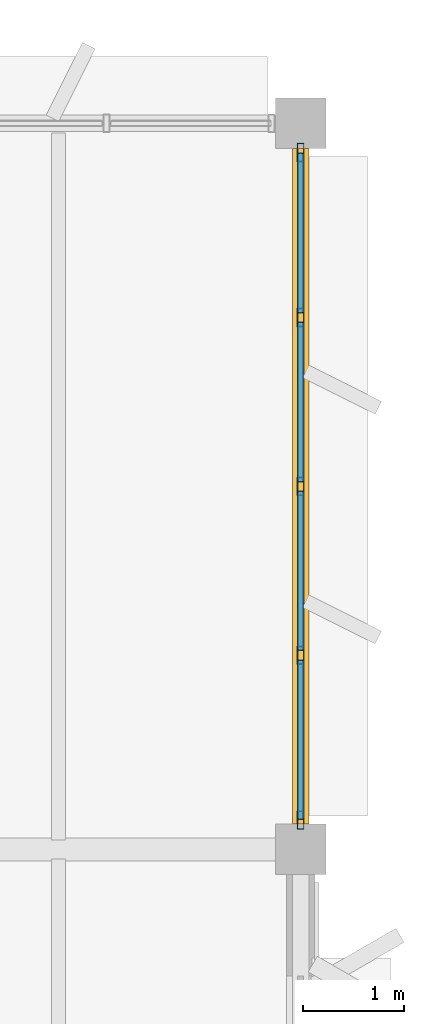
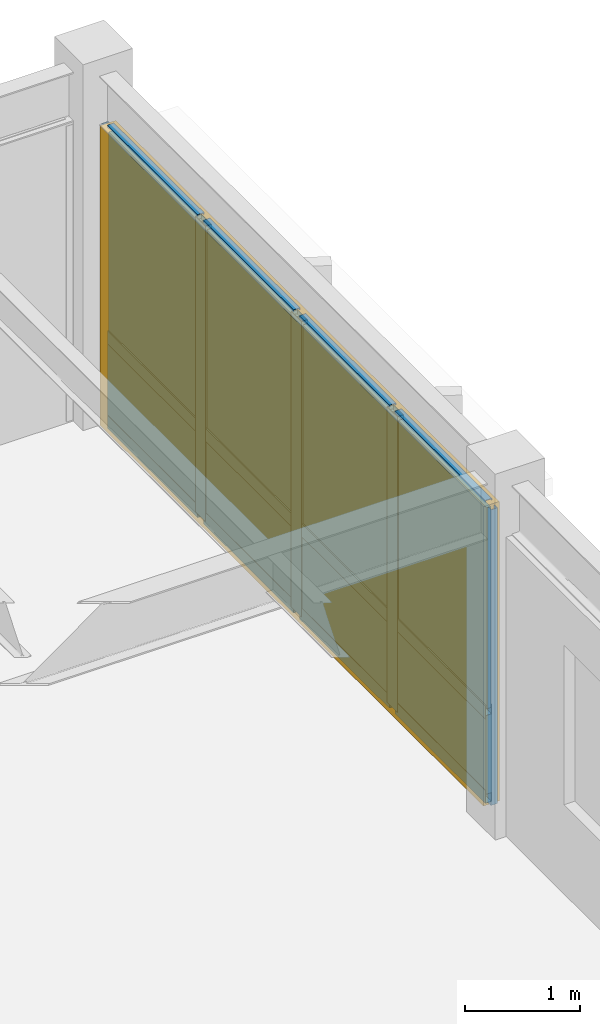
# One storey, part 14 of 23: 17 members, 8 plates, 1 curtain wall.
"""IFC4 building model written with IfcOpenShell, lengths in metres."""

from ifc_helpers import new_model, si_unit, direction, frame, origin, origin_2d, place, context, subcontext, project, spatial, rectangle, hollow_rectangle, extrude, material, layer, layer_set, material_profile, profile_set, type_object, element, aggregate, save


model = new_model("IFC4")

# Units and contexts
model_context = context("Model", 3, precision=1e-05, world=origin(), true_north=direction((0.0, 1.0)))
body_context = subcontext(model_context, "Body", "Model", "MODEL_VIEW")
ifc_project = project(units=[si_unit("LENGTHUNIT", "METRE"), si_unit("AREAUNIT", "SQUARE_METRE"), si_unit("VOLUMEUNIT", "CUBIC_METRE"), si_unit("PLANEANGLEUNIT", "RADIAN"), si_unit("MASSUNIT", "GRAM", prefix="KILO")], contexts=[model_context])

# Member
ifc_material_1 = material(Name="Anodized Aluminium 6063-T6", Category="aluminium")
ifc_material_profile_1 = material_profile(ifc_material_1, hollow_rectangle(XDim=0.06494140625, YDim=0.179931640625, WallThickness=0.00390625, at=origin_2d()), Name="ALU 65x180x4")
ifc_profile_set_1 = profile_set([ifc_material_profile_1], Name="Anodized Aluminium 6063-T6")
member_type_1 = type_object("IfcMemberType", Name="CWM-65X150", PredefinedType="MULLION", material=ifc_profile_set_1)
site_placement = place(None, origin())
building_placement = place(site_placement, origin())
storey_placement = place(building_placement, frame((0.0, 0.0, 21.89990234375)))
member_1_placement = place(storey_placement, frame((100.800048828125, 114.909912109375, 0.02001953125), z_axis=(0.0, 0.0, 1.0), x_axis=(1.0, 0.0, 0.0)))
member_1 = element("IfcMember", 1, at=member_1_placement, type_object=member_type_1, Name="Curtain wall mullion CW-L06-13-15-E-00", PredefinedType="MULLION", context=body_context, shape_type="SweptSolid", body=[
    extrude(hollow_rectangle(XDim=0.06494140625, YDim=0.179931640625, WallThickness=0.00390625, at=origin_2d()), origin(), (0.0, 0.0, 1.0), 3.152099609375),
])

member_2_placement = place(storey_placement, frame((100.800048828125, 113.27490234375, 0.02001953125), z_axis=(0.0, 0.0, 1.0), x_axis=(1.0, 0.0, 0.0)))
member_2 = element("IfcMember", 2, at=member_2_placement, type_object=member_type_1, Name="Curtain wall mullion CW-L06-13-15-E-01", PredefinedType="MULLION", context=body_context, shape_type="SweptSolid", body=[
    extrude(hollow_rectangle(XDim=0.06494140625, YDim=0.179931640625, WallThickness=0.00390625, at=origin_2d()), origin(), (0.0, 0.0, 1.0), 3.152099609375),
])

member_3_placement = place(storey_placement, frame((100.800048828125, 111.60009765625, 0.02001953125), z_axis=(0.0, 0.0, 1.0), x_axis=(1.0, 0.0, 0.0)))
member_3 = element("IfcMember", 3, at=member_3_placement, type_object=member_type_1, Name="Curtain wall mullion CW-L06-13-15-E-02", PredefinedType="MULLION", context=body_context, shape_type="SweptSolid", body=[
    extrude(hollow_rectangle(XDim=0.06494140625, YDim=0.179931640625, WallThickness=0.00390625, at=origin_2d()), origin(), (0.0, 0.0, 1.0), 3.152099609375),
])

member_4_placement = place(storey_placement, frame((100.800048828125, 109.925048828125, 0.02001953125), z_axis=(0.0, 0.0, 1.0), x_axis=(1.0, 0.0, 0.0)))
member_4 = element("IfcMember", 4, at=member_4_placement, type_object=member_type_1, Name="Curtain wall mullion CW-L06-13-15-E-03", PredefinedType="MULLION", context=body_context, shape_type="SweptSolid", body=[
    extrude(hollow_rectangle(XDim=0.06494140625, YDim=0.179931640625, WallThickness=0.00390625, at=origin_2d()), origin(), (0.0, 0.0, 1.0), 3.152099609375),
])

member_5_placement = place(storey_placement, frame((100.800048828125, 108.2900390625, 0.02001953125), z_axis=(0.0, 0.0, 1.0), x_axis=(1.0, 0.0, 0.0)))
member_5 = element("IfcMember", 5, at=member_5_placement, type_object=member_type_1, Name="Curtain wall mullion CW-L06-13-15-E-04", PredefinedType="MULLION", context=body_context, shape_type="SweptSolid", body=[
    extrude(hollow_rectangle(XDim=0.06494140625, YDim=0.179931640625, WallThickness=0.00390625, at=origin_2d()), origin(), (0.0, 0.0, 1.0), 3.152099609375),
])

ifc_material_profile_2 = material_profile(ifc_material_1, hollow_rectangle(XDim=0.06494140625, YDim=0.139892578125, WallThickness=0.00390625, at=origin_2d()), Name="ALU 65x140x4")
ifc_profile_set_2 = profile_set([ifc_material_profile_2], Name="Anodized Aluminium 6063-T6")
member_type_2 = type_object("IfcMemberType", Name="CWT-65X120", PredefinedType="USERDEFINED", material=ifc_profile_set_2)
member_6_placement = place(storey_placement, frame((100.800048828125, 114.89990234375, 0.050048828125), z_axis=(0.0, -1.0, 0.0), x_axis=(1.0, 0.0, 0.0)))
member_6 = element("IfcMember", 6, at=member_6_placement, type_object=member_type_2, Name="Curtain wall transom CW-L06-13-15-E-1.01", ObjectType="TRANSOM", PredefinedType="USERDEFINED", context=body_context, shape_type="SweptSolid", body=[
    extrude(hollow_rectangle(XDim=0.06494140625, YDim=0.139892578125, WallThickness=0.00390625, at=origin_2d()), origin(), (0.0, 0.0, 1.0), 1.574951171875),
])

member_7_placement = place(storey_placement, frame((100.800048828125, 113.22509765625, 0.050048828125), z_axis=(0.0, -1.0, 0.0), x_axis=(1.0, 0.0, 0.0)))
member_7 = element("IfcMember", 7, at=member_7_placement, type_object=member_type_2, Name="Curtain wall transom CW-L06-13-15-E-1.02", ObjectType="TRANSOM", PredefinedType="USERDEFINED", context=body_context, shape_type="SweptSolid", body=[
    extrude(hollow_rectangle(XDim=0.06494140625, YDim=0.139892578125, WallThickness=0.00390625, at=origin_2d()), origin(), (0.0, 0.0, 1.0), 1.5751953125),
])

member_8_placement = place(storey_placement, frame((100.800048828125, 111.550048828125, 0.050048828125), z_axis=(0.0, -1.0, 0.0), x_axis=(1.0, 0.0, 0.0)))
member_8 = element("IfcMember", 8, at=member_8_placement, type_object=member_type_2, Name="Curtain wall transom CW-L06-13-15-E-1.03", ObjectType="TRANSOM", PredefinedType="USERDEFINED", context=body_context, shape_type="SweptSolid", body=[
    extrude(hollow_rectangle(XDim=0.06494140625, YDim=0.139892578125, WallThickness=0.00390625, at=origin_2d()), origin(), (0.0, 0.0, 1.0), 1.574951171875),
])

member_9_placement = place(storey_placement, frame((100.800048828125, 109.875, 0.050048828125), z_axis=(0.0, -1.0, 0.0), x_axis=(1.0, 0.0, 0.0)))
member_9 = element("IfcMember", 9, at=member_9_placement, type_object=member_type_2, Name="Curtain wall transom CW-L06-13-15-E-1.04", ObjectType="TRANSOM", PredefinedType="USERDEFINED", context=body_context, shape_type="SweptSolid", body=[
    extrude(hollow_rectangle(XDim=0.06494140625, YDim=0.139892578125, WallThickness=0.00390625, at=origin_2d()), origin(), (0.0, 0.0, 1.0), 1.574951171875),
])

member_10_placement = place(storey_placement, frame((100.800048828125, 114.89990234375, 0.9501953125), z_axis=(0.0, -1.0, 0.0), x_axis=(1.0, 0.0, 0.0)))
member_10 = element("IfcMember", 10, at=member_10_placement, type_object=member_type_2, Name="Curtain wall transom CW-L06-13-15-E-2.01", ObjectType="TRANSOM", PredefinedType="USERDEFINED", context=body_context, shape_type="SweptSolid", body=[
    extrude(hollow_rectangle(XDim=0.06494140625, YDim=0.139892578125, WallThickness=0.00390625, at=origin_2d()), origin(), (0.0, 0.0, 1.0), 1.574951171875),
])

member_11_placement = place(storey_placement, frame((100.800048828125, 113.22509765625, 0.9501953125), z_axis=(0.0, -1.0, 0.0), x_axis=(1.0, 0.0, 0.0)))
member_11 = element("IfcMember", 11, at=member_11_placement, type_object=member_type_2, Name="Curtain wall transom CW-L06-13-15-E-2.02", ObjectType="TRANSOM", PredefinedType="USERDEFINED", context=body_context, shape_type="SweptSolid", body=[
    extrude(hollow_rectangle(XDim=0.06494140625, YDim=0.139892578125, WallThickness=0.00390625, at=origin_2d()), origin(), (0.0, 0.0, 1.0), 1.5751953125),
])

member_12_placement = place(storey_placement, frame((100.800048828125, 111.550048828125, 0.9501953125), z_axis=(0.0, -1.0, 0.0), x_axis=(1.0, 0.0, 0.0)))
member_12 = element("IfcMember", 12, at=member_12_placement, type_object=member_type_2, Name="Curtain wall transom CW-L06-13-15-E-2.03", ObjectType="TRANSOM", PredefinedType="USERDEFINED", context=body_context, shape_type="SweptSolid", body=[
    extrude(hollow_rectangle(XDim=0.06494140625, YDim=0.139892578125, WallThickness=0.00390625, at=origin_2d()), origin(), (0.0, 0.0, 1.0), 1.574951171875),
])

member_13_placement = place(storey_placement, frame((100.800048828125, 109.875, 0.9501953125), z_axis=(0.0, -1.0, 0.0), x_axis=(1.0, 0.0, 0.0)))
member_13 = element("IfcMember", 13, at=member_13_placement, type_object=member_type_2, Name="Curtain wall transom CW-L06-13-15-E-2.04", ObjectType="TRANSOM", PredefinedType="USERDEFINED", context=body_context, shape_type="SweptSolid", body=[
    extrude(hollow_rectangle(XDim=0.06494140625, YDim=0.139892578125, WallThickness=0.00390625, at=origin_2d()), origin(), (0.0, 0.0, 1.0), 1.574951171875),
])

member_14_placement = place(storey_placement, frame((100.800048828125, 114.89990234375, 3.14208984375), z_axis=(0.0, -1.0, 0.0), x_axis=(1.0, 0.0, 0.0)))
member_14 = element("IfcMember", 14, at=member_14_placement, type_object=member_type_2, Name="Curtain wall transom CW-L06-13-15-E-3.01", ObjectType="TRANSOM", PredefinedType="USERDEFINED", context=body_context, shape_type="SweptSolid", body=[
    extrude(hollow_rectangle(XDim=0.06494140625, YDim=0.139892578125, WallThickness=0.00390625, at=origin_2d()), origin(), (0.0, 0.0, 1.0), 1.574951171875),
])

member_15_placement = place(storey_placement, frame((100.800048828125, 113.22509765625, 3.14208984375), z_axis=(0.0, -1.0, 0.0), x_axis=(1.0, 0.0, 0.0)))
member_15 = element("IfcMember", 15, at=member_15_placement, type_object=member_type_2, Name="Curtain wall transom CW-L06-13-15-E-3.02", ObjectType="TRANSOM", PredefinedType="USERDEFINED", context=body_context, shape_type="SweptSolid", body=[
    extrude(hollow_rectangle(XDim=0.06494140625, YDim=0.139892578125, WallThickness=0.00390625, at=origin_2d()), origin(), (0.0, 0.0, 1.0), 1.5751953125),
])

member_16_placement = place(storey_placement, frame((100.800048828125, 111.550048828125, 3.14208984375), z_axis=(0.0, -1.0, 0.0), x_axis=(1.0, 0.0, 0.0)))
member_16 = element("IfcMember", 16, at=member_16_placement, type_object=member_type_2, Name="Curtain wall transom CW-L06-13-15-E-3.03", ObjectType="TRANSOM", PredefinedType="USERDEFINED", context=body_context, shape_type="SweptSolid", body=[
    extrude(hollow_rectangle(XDim=0.06494140625, YDim=0.139892578125, WallThickness=0.00390625, at=origin_2d()), origin(), (0.0, 0.0, 1.0), 1.574951171875),
])

member_17_placement = place(storey_placement, frame((100.800048828125, 109.875, 3.14208984375), z_axis=(0.0, -1.0, 0.0), x_axis=(1.0, 0.0, 0.0)))
member_17 = element("IfcMember", 17, at=member_17_placement, type_object=member_type_2, Name="Curtain wall transom CW-L06-13-15-E-3.04", ObjectType="TRANSOM", PredefinedType="USERDEFINED", context=body_context, shape_type="SweptSolid", body=[
    extrude(hollow_rectangle(XDim=0.06494140625, YDim=0.139892578125, WallThickness=0.00390625, at=origin_2d()), origin(), (0.0, 0.0, 1.0), 1.574951171875),
])

# Plate
ifc_material_2 = material(Name="Double Low-E Insulated Glazing Unit", Category="glass")
ifc_layer_1 = layer(ifc_material_2, 0.0380859375)
ifc_layer_set_1 = layer_set([ifc_layer_1], Name="Double Low-E Insulated Glazing Unit")
plate_type_1 = type_object("IfcPlateType", Name="CWP-IGU-38", PredefinedType="CURTAIN_PANEL", material=ifc_layer_set_1)
plate_1_placement = place(storey_placement, frame((100.800048828125, 114.112548828125, 0.989990234375), z_axis=(0.0, 0.0, 1.0), x_axis=(0.0, -1.0, 0.0)))
plate_1 = element("IfcPlate", 18, at=plate_1_placement, type_object=plate_type_1, Name="Curtain wall vision glazing CW-L06-13-15-E-01", PredefinedType="CURTAIN_PANEL", context=body_context, shape_type="SweptSolid", body=[
    extrude(rectangle(XDim=1.5849609375, YDim=0.0400390625, at=origin_2d()), origin(), (0.0, 0.0, 1.0), 2.14208984375),
])

plate_2_placement = place(storey_placement, frame((100.800048828125, 112.4375, 0.989990234375), z_axis=(0.0, 0.0, 1.0), x_axis=(0.0, -1.0, 0.0)))
plate_2 = element("IfcPlate", 19, at=plate_2_placement, type_object=plate_type_1, Name="Curtain wall vision glazing CW-L06-13-15-E-02", PredefinedType="CURTAIN_PANEL", context=body_context, shape_type="SweptSolid", body=[
    extrude(rectangle(XDim=1.5849609375, YDim=0.0400390625, at=origin_2d()), origin(), (0.0, 0.0, 1.0), 2.14208984375),
])

plate_3_placement = place(storey_placement, frame((100.800048828125, 110.762451171875, 0.989990234375), z_axis=(0.0, 0.0, 1.0), x_axis=(0.0, -1.0, 0.0)))
plate_3 = element("IfcPlate", 20, at=plate_3_placement, type_object=plate_type_1, Name="Curtain wall vision glazing CW-L06-13-15-E-03", PredefinedType="CURTAIN_PANEL", context=body_context, shape_type="SweptSolid", body=[
    extrude(rectangle(XDim=1.5849609375, YDim=0.0400390625, at=origin_2d()), origin(), (0.0, 0.0, 1.0), 2.14208984375),
])

plate_4_placement = place(storey_placement, frame((100.800048828125, 109.08740234375, 0.989990234375), z_axis=(0.0, 0.0, 1.0), x_axis=(0.0, -1.0, 0.0)))
plate_4 = element("IfcPlate", 21, at=plate_4_placement, type_object=plate_type_1, Name="Curtain wall vision glazing CW-L06-13-15-E-04", PredefinedType="CURTAIN_PANEL", context=body_context, shape_type="SweptSolid", body=[
    extrude(rectangle(XDim=1.5849609375, YDim=0.0400390625, at=origin_2d()), origin(), (0.0, 0.0, 1.0), 2.14208984375),
])

ifc_material_3 = material(Name="Insulated Bronze Aluminium Spandrel", Category="aluminium")
ifc_layer_2 = layer(ifc_material_3, 0.06005859375)
ifc_layer_set_2 = layer_set([ifc_layer_2], Name="Insulated Bronze Aluminium Spandrel")
plate_type_2 = type_object("IfcPlateType", Name="CWP-SPN-60", PredefinedType="CURTAIN_PANEL", material=ifc_layer_set_2)
plate_5_placement = place(storey_placement, frame((100.800048828125, 114.112548828125, 0.080078125), z_axis=(0.0, 0.0, 1.0), x_axis=(0.0, -1.0, 0.0)))
plate_5 = element("IfcPlate", 22, at=plate_5_placement, type_object=plate_type_2, Name="Curtain wall spandrel panel CW-L06-13-15-E-01", PredefinedType="CURTAIN_PANEL", context=body_context, shape_type="SweptSolid", body=[
    extrude(rectangle(XDim=1.5849609375, YDim=0.06005859375, at=origin_2d()), origin(), (0.0, 0.0, 1.0), 0.840087890625),
])

plate_6_placement = place(storey_placement, frame((100.800048828125, 112.4375, 0.080078125), z_axis=(0.0, 0.0, 1.0), x_axis=(0.0, -1.0, 0.0)))
plate_6 = element("IfcPlate", 23, at=plate_6_placement, type_object=plate_type_2, Name="Curtain wall spandrel panel CW-L06-13-15-E-02", PredefinedType="CURTAIN_PANEL", context=body_context, shape_type="SweptSolid", body=[
    extrude(rectangle(XDim=1.5849609375, YDim=0.06005859375, at=origin_2d()), origin(), (0.0, 0.0, 1.0), 0.840087890625),
])

plate_7_placement = place(storey_placement, frame((100.800048828125, 110.762451171875, 0.080078125), z_axis=(0.0, 0.0, 1.0), x_axis=(0.0, -1.0, 0.0)))
plate_7 = element("IfcPlate", 24, at=plate_7_placement, type_object=plate_type_2, Name="Curtain wall spandrel panel CW-L06-13-15-E-03", PredefinedType="CURTAIN_PANEL", context=body_context, shape_type="SweptSolid", body=[
    extrude(rectangle(XDim=1.5849609375, YDim=0.06005859375, at=origin_2d()), origin(), (0.0, 0.0, 1.0), 0.840087890625),
])

plate_8_placement = place(storey_placement, frame((100.800048828125, 109.08740234375, 0.080078125), z_axis=(0.0, 0.0, 1.0), x_axis=(0.0, -1.0, 0.0)))
plate_8 = element("IfcPlate", 25, at=plate_8_placement, type_object=plate_type_2, Name="Curtain wall spandrel panel CW-L06-13-15-E-04", PredefinedType="CURTAIN_PANEL", context=body_context, shape_type="SweptSolid", body=[
    extrude(rectangle(XDim=1.5849609375, YDim=0.06005859375, at=origin_2d()), origin(), (0.0, 0.0, 1.0), 0.840087890625),
])

# Site, building, storey
site = spatial("IfcSite", under=ifc_project, at=site_placement, CompositionType="ELEMENT")
building = spatial("IfcBuilding", under=site, at=building_placement, Name="Sillqori Civic Hall", CompositionType="ELEMENT")
storey = spatial("IfcBuildingStorey", under=building, at=storey_placement, Name="L06", CompositionType="ELEMENT", Elevation=21.89990234375)

# Curtain wall
ifc_material_4 = material(Name="Anodized Aluminium Curtain Wall System", Category="aluminium")
curtain_wall_type = type_object("IfcCurtainWallType", Name="CW-EX-375", PredefinedType="NOTDEFINED", material=ifc_material_4)
curtain_wall_placement = place(storey_placement, frame((100.800048828125, 111.60009765625, 0.000244140625), z_axis=(0.0, 0.0, 1.0), x_axis=(0.0, -1.0, 0.0)))
curtain_wall = element("IfcCurtainWall", 26, at=curtain_wall_placement, inside=storey, type_object=curtain_wall_type, Name="L06 unitised curtain wall CW-L06-13-15-E", PredefinedType="NOTDEFINED", context=body_context, shape_type="SweptSolid", body=[
    extrude(rectangle(XDim=6.699951171875, YDim=0.159912109375, at=origin_2d()), origin(), (0.0, 0.0, 1.0), 3.19189453125),
])

aggregate(curtain_wall, [member_1, member_2, member_3, member_4, member_5, member_6, member_7, member_8, member_9, member_10, member_11, member_12, member_13, member_14, member_15, member_16, member_17, plate_5, plate_1, plate_6, plate_2, plate_7, plate_3, plate_8, plate_4])

save(model, "model.ifc")
